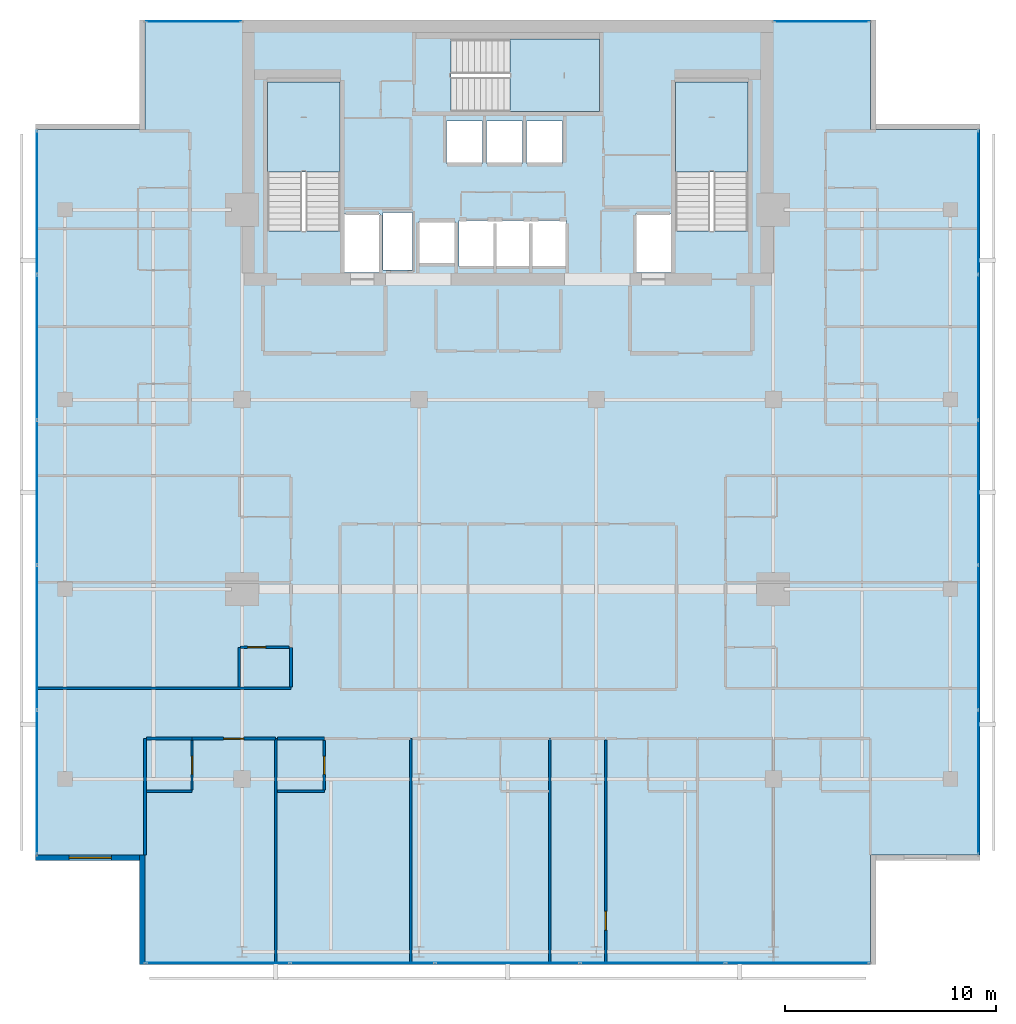
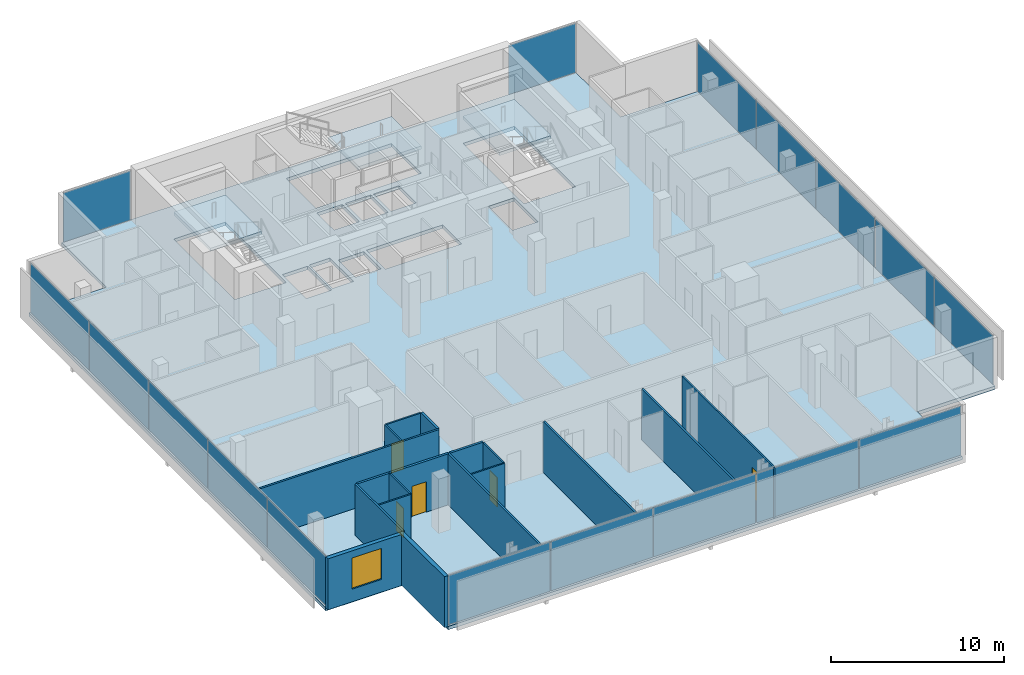
# One storey, part 19 of 26: 18 walls, 17 plates, 5 doors, 4 slabs, 1 window, 6 openings, 8 elements without a shape of their own.
"""IFC4 building model written with IfcOpenShell, lengths in metres."""

from ifc_helpers import new_model, si_unit, direction, frame, frame_2d, origin, origin_2d, place, context, subcontext, project, spatial, polyline, rectangle, outline, extrude, material, layer, layer_set, type_object, element, fill, aggregate, save


model = new_model("IFC4")

# Units and contexts
model_context = context("Model", 3, precision=1e-05, world=origin(), true_north=direction((0.0, 1.0)))
body_context = subcontext(model_context, "Body", "Model", "MODEL_VIEW")
ifc_project = project(units=[si_unit("LENGTHUNIT", "METRE"), si_unit("AREAUNIT", "SQUARE_METRE"), si_unit("VOLUMEUNIT", "CUBIC_METRE"), si_unit("PLANEANGLEUNIT", "RADIAN"), si_unit("MASSUNIT", "GRAM", prefix="KILO")], contexts=[model_context])

# Site, building, storey
site_placement = place(None, origin())
site = spatial("IfcSite", under=ifc_project, at=site_placement, CompositionType="ELEMENT")
building_placement = place(site_placement, origin())
building = spatial("IfcBuilding", under=site, at=building_placement, Name="Maruvema Waterfront Hotel and Observation Tower", CompositionType="ELEMENT")
storey_placement = place(building_placement, frame((0.0, 0.0, 289.449951171875)))
storey = spatial("IfcBuildingStorey", under=building, at=storey_placement, Name="L71", CompositionType="ELEMENT", Elevation=289.449951171875)

# Slab
ifc_material_1 = material(Name="Concrete C50/60", Category="concrete")
ifc_layer_1 = layer(ifc_material_1, 0.239990234375, Name="Reinforced Concrete Floor Slab 240 mm")
ifc_layer_set_1 = layer_set([ifc_layer_1], Name="Concrete C50/60")
slab_type_1 = type_object("IfcSlabType", Name="Reinforced Concrete Floor Slab 240 mm", PredefinedType="FLOOR", material=ifc_layer_set_1)
slab_1_placement = place(storey_placement, frame((0.0, 0.0, -0.239990234375)))
element("IfcSlab", 1, at=slab_1_placement, inside=storey, type_object=slab_type_1, Name="L71 Structural Floor Slab", PredefinedType="FLOOR", context=body_context, shape_type="SweptSolid", body=[
    extrude(outline(polyline([(20.60009765625, 9.199951171875), (55.0, 9.199951171875), (55.0, 14.39990234375), (60.199951171875, 14.39990234375), (60.199951171875, 48.800048828125), (55.0, 48.800048828125), (55.0, 54.0), (20.60009765625, 54.0), (20.60009765625, 48.800048828125), (15.39990234375, 48.800048828125), (15.39990234375, 14.39990234375), (20.60009765625, 14.39990234375), (20.60009765625, 9.199951171875)]), holes=[polyline([(26.39990234375, 44.00048828125), (26.39990234375, 51.050048828125), (29.85009765625, 51.050048828125), (29.85009765625, 44.00048828125), (26.39990234375, 44.00048828125)]), polyline([(30.050048828125, 44.800048828125), (31.75, 44.800048828125), (31.75, 42.02001953125), (30.050048828125, 42.02001953125), (30.050048828125, 44.800048828125)]), polyline([(31.8798828125, 42.139892578125), (31.8798828125, 44.860107421875), (33.280029296875, 44.860107421875), (33.280029296875, 42.139892578125), (31.8798828125, 42.139892578125)]), polyline([(33.60009765625, 44.449951171875), (35.300048828125, 44.449951171875), (35.300048828125, 42.449951171875), (33.60009765625, 42.449951171875), (33.60009765625, 44.449951171875)]), polyline([(34.89990234375, 49.199951171875), (36.60009765625, 49.199951171875), (36.60009765625, 47.199951171875), (34.89990234375, 47.199951171875), (34.89990234375, 49.199951171875)]), polyline([(36.800048828125, 47.199951171875), (36.800048828125, 49.199951171875), (38.5, 49.199951171875), (38.5, 47.199951171875), (36.800048828125, 47.199951171875)]), polyline([(35.5, 42.300048828125), (35.5, 44.5), (40.60009765625, 44.5), (40.60009765625, 42.300048828125), (35.5, 42.300048828125)]), polyline([(35.1005859375, 53.10009765625), (42.14990234375, 53.10009765625), (42.14990234375, 49.64990234375), (35.1005859375, 49.64990234375), (35.1005859375, 53.10009765625)]), polyline([(38.699951171875, 49.199951171875), (40.39990234375, 49.199951171875), (40.39990234375, 47.199951171875), (38.699951171875, 47.199951171875), (38.699951171875, 49.199951171875)]), polyline([(43.85009765625, 44.800048828125), (45.550048828125, 44.800048828125), (45.550048828125, 42.02001953125), (43.85009765625, 42.02001953125), (43.85009765625, 44.800048828125)]), polyline([(45.75, 44.00048828125), (45.75, 51.050048828125), (49.199951171875, 51.050048828125), (49.199951171875, 44.00048828125), (45.75, 44.00048828125)])]), origin(), (0.0, 0.0, 1.0), 0.239990234375),
])

# Curtain wall, plates
ifc_material_2 = material(Name="Anodised bronze aluminium and solar-control low-E IGU", Category="aluminium")
ifc_layer_2 = layer(ifc_material_2, 0.159912109375, Name="Zone 3 Champagne Inner Thermal Curtain Wall System CW-04")
ifc_layer_set_2 = layer_set([ifc_layer_2], Name="Anodised bronze aluminium and solar-control low-E IGU")
curtain_wall_type = type_object("IfcCurtainWallType", Name="Zone 3 Champagne Inner Thermal Curtain Wall System CW-04", PredefinedType="USERDEFINED", material=ifc_layer_set_2)
curtain_wall_1_placement = place(storey_placement, origin())
curtain_wall_1 = element("IfcCurtainWall", 2, at=curtain_wall_1_placement, inside=storey, type_object=curtain_wall_type, Name="L71 Curtain Wall CW-L71-S", ObjectType="UNITISED CURTAIN WALL", PredefinedType="USERDEFINED")
ifc_material_3 = material(Name="Laminated low-E solar-control double glazing", Category="glass")
ifc_layer_3 = layer(ifc_material_3, 0.035888671875, Name="Solar Control Double-Glazed Curtain Panel 36 mm")
ifc_layer_set_3 = layer_set([ifc_layer_3], Name="Laminated low-E solar-control double glazing")
plate_type = type_object("IfcPlateType", Name="Solar Control Double-Glazed Curtain Panel 36 mm", PredefinedType="CURTAIN_PANEL", material=ifc_layer_set_3)
plate_1_placement = place(storey_placement, frame((24.054931640625, 9.280029296875, 0.06005859375), z_axis=(0.0, 0.0, 1.0), x_axis=(1.0, 0.0, 0.0)))
plate_1 = element("IfcPlate", 3, at=plate_1_placement, type_object=plate_type, Name="CW-04 panel 1.1", PredefinedType="CURTAIN_PANEL", context=body_context, shape_type="SweptSolid", body=[
    extrude(rectangle(XDim=6.7900390625, YDim=0.028076171875, at=origin_2d()), origin(), (0.0, 0.0, 1.0), 3.489990234375),
])
plate_2_placement = place(storey_placement, frame((30.919921875, 9.280029296875, 0.06005859375), z_axis=(0.0, 0.0, 1.0), x_axis=(1.0, 0.0, 0.0)))
plate_2 = element("IfcPlate", 4, at=plate_2_placement, type_object=plate_type, Name="CW-04 panel 2.1", PredefinedType="CURTAIN_PANEL", context=body_context, shape_type="SweptSolid", body=[
    extrude(rectangle(XDim=6.820068359375, YDim=0.028076171875, at=origin_2d()), origin(), (0.0, 0.0, 1.0), 3.489990234375),
])
plate_3_placement = place(storey_placement, frame((37.800048828125, 9.280029296875, 0.06005859375), z_axis=(0.0, 0.0, 1.0), x_axis=(1.0, 0.0, 0.0)))
plate_3 = element("IfcPlate", 5, at=plate_3_placement, type_object=plate_type, Name="CW-04 panel 3.1", PredefinedType="CURTAIN_PANEL", context=body_context, shape_type="SweptSolid", body=[
    extrude(rectangle(XDim=6.820068359375, YDim=0.028076171875, at=origin_2d()), origin(), (0.0, 0.0, 1.0), 3.489990234375),
])
plate_4_placement = place(storey_placement, frame((44.679931640625, 9.280029296875, 0.06005859375), z_axis=(0.0, 0.0, 1.0), x_axis=(1.0, 0.0, 0.0)))
plate_4 = element("IfcPlate", 6, at=plate_4_placement, type_object=plate_type, Name="CW-04 panel 4.1", PredefinedType="CURTAIN_PANEL", context=body_context, shape_type="SweptSolid", body=[
    extrude(rectangle(XDim=6.820068359375, YDim=0.028076171875, at=origin_2d()), origin(), (0.0, 0.0, 1.0), 3.489990234375),
])
plate_5_placement = place(storey_placement, frame((51.544921875, 9.280029296875, 0.06005859375), z_axis=(0.0, 0.0, 1.0), x_axis=(1.0, 0.0, 0.0)))
plate_5 = element("IfcPlate", 7, at=plate_5_placement, type_object=plate_type, Name="CW-04 panel 5.1", PredefinedType="CURTAIN_PANEL", context=body_context, shape_type="SweptSolid", body=[
    extrude(rectangle(XDim=6.7900390625, YDim=0.028076171875, at=origin_2d()), origin(), (0.0, 0.0, 1.0), 3.489990234375),
])
aggregate(curtain_wall_1, [plate_1, plate_2, plate_3, plate_4, plate_5])

curtain_wall_2_placement = place(storey_placement, origin())
curtain_wall_2 = element("IfcCurtainWall", 8, at=curtain_wall_2_placement, inside=storey, type_object=curtain_wall_type, Name="L71 Curtain Wall CW-L71-E", ObjectType="UNITISED CURTAIN WALL", PredefinedType="USERDEFINED")
plate_6_placement = place(storey_placement, frame((60.1201171875, 17.85498046875, 0.06005859375), z_axis=(0.0, 0.0, 1.0), x_axis=(0.0, 1.0, 0.0)))
plate_6 = element("IfcPlate", 9, at=plate_6_placement, type_object=plate_type, Name="CW-04 panel 1.1", PredefinedType="CURTAIN_PANEL", context=body_context, shape_type="SweptSolid", body=[
    extrude(rectangle(XDim=6.7900390625, YDim=0.028076171875, at=origin_2d()), origin(), (0.0, 0.0, 1.0), 3.489990234375),
])
plate_7_placement = place(storey_placement, frame((60.1201171875, 24.719970703125, 0.06005859375), z_axis=(0.0, 0.0, 1.0), x_axis=(0.0, 1.0, 0.0)))
plate_7 = element("IfcPlate", 10, at=plate_7_placement, type_object=plate_type, Name="CW-04 panel 2.1", PredefinedType="CURTAIN_PANEL", context=body_context, shape_type="SweptSolid", body=[
    extrude(rectangle(XDim=6.820068359375, YDim=0.028076171875, at=origin_2d()), origin(), (0.0, 0.0, 1.0), 3.489990234375),
])
plate_8_placement = place(storey_placement, frame((60.1201171875, 31.60009765625, 0.06005859375), z_axis=(0.0, 0.0, 1.0), x_axis=(0.0, 1.0, 0.0)))
plate_8 = element("IfcPlate", 11, at=plate_8_placement, type_object=plate_type, Name="CW-04 panel 3.1", PredefinedType="CURTAIN_PANEL", context=body_context, shape_type="SweptSolid", body=[
    extrude(rectangle(XDim=6.820068359375, YDim=0.028076171875, at=origin_2d()), origin(), (0.0, 0.0, 1.0), 3.489990234375),
])
plate_9_placement = place(storey_placement, frame((60.1201171875, 38.47998046875, 0.06005859375), z_axis=(0.0, 0.0, 1.0), x_axis=(0.0, 1.0, 0.0)))
plate_9 = element("IfcPlate", 12, at=plate_9_placement, type_object=plate_type, Name="CW-04 panel 4.1", PredefinedType="CURTAIN_PANEL", context=body_context, shape_type="SweptSolid", body=[
    extrude(rectangle(XDim=6.820068359375, YDim=0.028076171875, at=origin_2d()), origin(), (0.0, 0.0, 1.0), 3.489990234375),
])
plate_10_placement = place(storey_placement, frame((60.1201171875, 45.344970703125, 0.06005859375), z_axis=(0.0, 0.0, 1.0), x_axis=(0.0, 1.0, 0.0)))
plate_10 = element("IfcPlate", 13, at=plate_10_placement, type_object=plate_type, Name="CW-04 panel 5.1", PredefinedType="CURTAIN_PANEL", context=body_context, shape_type="SweptSolid", body=[
    extrude(rectangle(XDim=6.7900390625, YDim=0.028076171875, at=origin_2d()), origin(), (0.0, 0.0, 1.0), 3.489990234375),
])
aggregate(curtain_wall_2, [plate_6, plate_7, plate_8, plate_9, plate_10])

curtain_wall_3_placement = place(storey_placement, origin())
curtain_wall_3 = element("IfcCurtainWall", 14, at=curtain_wall_3_placement, inside=storey, type_object=curtain_wall_type, Name="L71 Curtain Wall CW-L71-W", ObjectType="UNITISED CURTAIN WALL", PredefinedType="USERDEFINED")
plate_11_placement = place(storey_placement, frame((15.47998046875, 45.344970703125, 0.06005859375), z_axis=(0.0, 0.0, 1.0), x_axis=(0.0, -1.0, 0.0)))
plate_11 = element("IfcPlate", 15, at=plate_11_placement, type_object=plate_type, Name="CW-04 panel 1.1", PredefinedType="CURTAIN_PANEL", context=body_context, shape_type="SweptSolid", body=[
    extrude(rectangle(XDim=6.7900390625, YDim=0.028076171875, at=origin_2d()), origin(), (0.0, 0.0, 1.0), 3.489990234375),
])
plate_12_placement = place(storey_placement, frame((15.47998046875, 38.47998046875, 0.06005859375), z_axis=(0.0, 0.0, 1.0), x_axis=(0.0, -1.0, 0.0)))
plate_12 = element("IfcPlate", 16, at=plate_12_placement, type_object=plate_type, Name="CW-04 panel 2.1", PredefinedType="CURTAIN_PANEL", context=body_context, shape_type="SweptSolid", body=[
    extrude(rectangle(XDim=6.820068359375, YDim=0.028076171875, at=origin_2d()), origin(), (0.0, 0.0, 1.0), 3.489990234375),
])
plate_13_placement = place(storey_placement, frame((15.47998046875, 31.60009765625, 0.06005859375), z_axis=(0.0, 0.0, 1.0), x_axis=(0.0, -1.0, 0.0)))
plate_13 = element("IfcPlate", 17, at=plate_13_placement, type_object=plate_type, Name="CW-04 panel 3.1", PredefinedType="CURTAIN_PANEL", context=body_context, shape_type="SweptSolid", body=[
    extrude(rectangle(XDim=6.820068359375, YDim=0.028076171875, at=origin_2d()), origin(), (0.0, 0.0, 1.0), 3.489990234375),
])
plate_14_placement = place(storey_placement, frame((15.47998046875, 24.719970703125, 0.06005859375), z_axis=(0.0, 0.0, 1.0), x_axis=(0.0, -1.0, 0.0)))
plate_14 = element("IfcPlate", 18, at=plate_14_placement, type_object=plate_type, Name="CW-04 panel 4.1", PredefinedType="CURTAIN_PANEL", context=body_context, shape_type="SweptSolid", body=[
    extrude(rectangle(XDim=6.820068359375, YDim=0.028076171875, at=origin_2d()), origin(), (0.0, 0.0, 1.0), 3.489990234375),
])
plate_15_placement = place(storey_placement, frame((15.47998046875, 17.85498046875, 0.06005859375), z_axis=(0.0, 0.0, 1.0), x_axis=(0.0, -1.0, 0.0)))
plate_15 = element("IfcPlate", 19, at=plate_15_placement, type_object=plate_type, Name="CW-04 panel 5.1", PredefinedType="CURTAIN_PANEL", context=body_context, shape_type="SweptSolid", body=[
    extrude(rectangle(XDim=6.7900390625, YDim=0.028076171875, at=origin_2d()), origin(), (0.0, 0.0, 1.0), 3.489990234375),
])
aggregate(curtain_wall_3, [plate_11, plate_12, plate_13, plate_14, plate_15])

# Curtain wall, plate
curtain_wall_4_placement = place(storey_placement, origin())
curtain_wall_4 = element("IfcCurtainWall", 20, at=curtain_wall_4_placement, inside=storey, type_object=curtain_wall_type, Name="L71 Curtain Wall CW-L71-NW", ObjectType="UNITISED CURTAIN WALL", PredefinedType="USERDEFINED")
plate_16_placement = place(storey_placement, frame((22.89990234375, 53.919921875, 0.06005859375), z_axis=(0.0, 0.0, 1.0), x_axis=(-1.0, 0.0, 0.0)))
plate_16 = element("IfcPlate", 21, at=plate_16_placement, type_object=plate_type, Name="CW-04 panel 1.1", PredefinedType="CURTAIN_PANEL", context=body_context, shape_type="SweptSolid", body=[
    extrude(rectangle(XDim=4.47998046875, YDim=0.028076171875, at=origin_2d()), origin(), (0.0, 0.0, 1.0), 3.489990234375),
])
aggregate(curtain_wall_4, [plate_16])

curtain_wall_5_placement = place(storey_placement, origin())
curtain_wall_5 = element("IfcCurtainWall", 22, at=curtain_wall_5_placement, inside=storey, type_object=curtain_wall_type, Name="L71 Curtain Wall CW-L71-NE", ObjectType="UNITISED CURTAIN WALL", PredefinedType="USERDEFINED")
plate_17_placement = place(storey_placement, frame((52.699951171875, 53.919921875, 0.06005859375), z_axis=(0.0, 0.0, 1.0), x_axis=(-1.0, 0.0, 0.0)))
plate_17 = element("IfcPlate", 23, at=plate_17_placement, type_object=plate_type, Name="CW-04 panel 1.1", PredefinedType="CURTAIN_PANEL", context=body_context, shape_type="SweptSolid", body=[
    extrude(rectangle(XDim=4.47998046875, YDim=0.028076171875, at=origin_2d()), origin(), (0.0, 0.0, 1.0), 3.489990234375),
])
aggregate(curtain_wall_5, [plate_17])

# Stair, slab
ifc_material_4 = material(Name="Concrete C50/60", Category="concrete")
stair_type = type_object("IfcStairType", Name="Dogleg Exit Stair 1650 mm (22R x 175.0 mm)", PredefinedType="HALF_TURN_STAIR", material=ifc_material_4)
stair_1_placement = place(storey_placement, origin())
stair_1 = element("IfcStair", 24, at=stair_1_placement, inside=storey, type_object=stair_type, Name="L71 ST-01", PredefinedType="HALF_TURN_STAIR")
ifc_material_5 = material(Name="Concrete C50/60", Category="concrete")
ifc_layer_4 = layer(ifc_material_5, 0.219970703125, Name="Stair Concrete Landing Slab 220 mm")
ifc_layer_set_4 = layer_set([ifc_layer_4], Name="Concrete C50/60")
slab_type_2 = type_object("IfcSlabType", Name="Stair Concrete Landing Slab 220 mm", PredefinedType="LANDING", material=ifc_layer_set_4)
slab_2_placement = place(storey_placement, frame((0.0, 0.0, 1.705078125)))
slab_2 = element("IfcSlab", 25, at=slab_2_placement, type_object=slab_type_2, Name="ST-01 landing 1", PredefinedType="LANDING", context=body_context, shape_type="SweptSolid", body=[
    extrude(outline(polyline([(29.85009765625, 46.800048828125), (29.85009765625, 51.050048828125), (26.39990234375, 51.050048828125), (26.39990234375, 46.800048828125), (29.85009765625, 46.800048828125)])), origin(), (0.0, 0.0, 1.0), 0.219970703125),
])
aggregate(stair_1, [slab_2])

stair_2_placement = place(storey_placement, origin())
stair_2 = element("IfcStair", 26, at=stair_2_placement, inside=storey, type_object=stair_type, Name="L71 ST-02", PredefinedType="HALF_TURN_STAIR")
slab_3_placement = place(storey_placement, frame((0.0, 0.0, 1.705078125)))
slab_3 = element("IfcSlab", 27, at=slab_3_placement, type_object=slab_type_2, Name="ST-02 landing 1", PredefinedType="LANDING", context=body_context, shape_type="SweptSolid", body=[
    extrude(outline(polyline([(37.89990234375, 49.64990234375), (42.14990234375, 49.64990234375), (42.14990234375, 53.10009765625), (37.89990234375, 53.10009765625), (37.89990234375, 49.64990234375)])), origin(), (0.0, 0.0, 1.0), 0.219970703125),
])
aggregate(stair_2, [slab_3])

stair_3_placement = place(storey_placement, origin())
stair_3 = element("IfcStair", 28, at=stair_3_placement, inside=storey, type_object=stair_type, Name="L71 ST-03", PredefinedType="HALF_TURN_STAIR")
slab_4_placement = place(storey_placement, frame((0.0, 0.0, 1.705078125)))
slab_4 = element("IfcSlab", 29, at=slab_4_placement, type_object=slab_type_2, Name="ST-03 landing 1", PredefinedType="LANDING", context=body_context, shape_type="SweptSolid", body=[
    extrude(outline(polyline([(49.199951171875, 46.800048828125), (49.199951171875, 51.050048828125), (45.75, 51.050048828125), (45.75, 46.800048828125), (49.199951171875, 46.800048828125)])), origin(), (0.0, 0.0, 1.0), 0.219970703125),
])
aggregate(stair_3, [slab_4])

# Wall
ifc_material_6 = material(Name="Twin-stud acoustic gypsum drywall", Category="gypsum")
ifc_layer_5 = layer(ifc_material_6, 0.14990234375, Name="Acoustic Corridor and Suite Demising Wall 150 mm")
ifc_layer_set_5 = layer_set([ifc_layer_5], Name="Twin-stud acoustic gypsum drywall")
wall_type_1 = type_object("IfcWallType", Name="Acoustic Corridor and Suite Demising Wall 150 mm", PredefinedType="PARTITIONING", material=ifc_layer_set_5)
wall_1_placement = place(storey_placement, frame((20.679931640625, 19.919921875, 0.0), z_axis=(0.0, 0.0, 1.0), x_axis=(1.0, 0.0, 0.0)))
element("IfcWall", 30, at=wall_1_placement, inside=storey, type_object=wall_type_1, Name="L71 Bath L71-S1 Back Wall 043", PredefinedType="PARTITIONING", context=body_context, shape_type="SweptSolid", body=[
    extrude(rectangle(XDim=2.150146484375, YDim=0.14990234375, at=frame_2d((1.0751953125, 0.0))), origin(), (0.0, 0.0, 1.0), 3.610107421875),
])

# Wall, opening, door
wall_2_placement = place(storey_placement, frame((22.830078125, 19.919921875, 0.0), z_axis=(0.0, 0.0, 1.0), x_axis=(1.0, 0.0, 0.0)))
wall_2 = element("IfcWall", 31, at=wall_2_placement, inside=storey, type_object=wall_type_1, Name="L71 Unit L71-S1 Corridor Wall 046", PredefinedType="PARTITIONING", context=body_context, shape_type="SweptSolid", body=[
    extrude(rectangle(XDim=3.949951171875, YDim=0.14990234375, at=frame_2d((1.97509765625, 0.0))), origin(), (0.0, 0.0, 1.0), 3.610107421875),
])
opening_1_placement = place(wall_2_placement, frame((1.5, 0.0, 0.0)))
opening_1 = element("IfcOpeningElement", 32, at=opening_1_placement, cuts=wall_2, Name="Opening DR-095", PredefinedType="OPENING", context=body_context, shape_type="SweptSolid", body=[
    extrude(rectangle(XDim=0.949951171875, YDim=2.14990234375, at=frame_2d((0.47509765625, 1.074951171875))), frame((0.0, 0.0849609375, 0.0), z_axis=(0.0, -1.0, 0.0), x_axis=(1.0, 0.0, 0.0)), (0.0, 0.0, 1.0), 0.169921875),
])
ifc_material_7 = material(Name="Acoustic solid-core hardwood timber leaf", Category="wood")
door_type_1 = type_object("IfcDoorType", Name="Guestroom Entrance Fire Door 950x2150 mm", OperationType="NOTDEFINED", PredefinedType="DOOR", material=ifc_material_7)
door_1_placement = place(opening_1_placement, frame((0.949951171875, 0.0, 0.0), z_axis=(0.0, 0.0, 1.0), x_axis=(-1.0, 0.0, 0.0)))
door_1 = element("IfcDoor", 33, at=door_1_placement, inside=storey, type_object=door_type_1, Name="L71 Unit L71-S1 Entrance Door", OperationType="SINGLE_SWING_LEFT", OverallHeight=2.14990234375, OverallWidth=0.949951171875, PredefinedType="DOOR", context=body_context, shape_type="SweptSolid", body=[
    extrude(rectangle(XDim=0.949951171875, YDim=2.14990234375, at=frame_2d((0.47509765625, 1.074951171875))), frame((0.0, 0.02490234375, 0.0), z_axis=(0.0, -1.0, 0.0), x_axis=(1.0, 0.0, 0.0)), (0.0, 0.0, 1.0), 0.050048828125),
])
fill(opening_1, door_1)

# Walls
wall_3_placement = place(storey_placement, frame((26.8798828125, 19.919921875, 0.0), z_axis=(0.0, 0.0, 1.0), x_axis=(1.0, 0.0, 0.0)))
element("IfcWall", 34, at=wall_3_placement, inside=storey, type_object=wall_type_1, Name="L71 Bath L71-S2 Back Wall 048", PredefinedType="PARTITIONING", context=body_context, shape_type="SweptSolid", body=[
    extrude(rectangle(XDim=2.22021484375, YDim=0.14990234375, at=frame_2d((1.110107421875, 0.0))), origin(), (0.0, 0.0, 1.0), 3.610107421875),
])
wall_4_placement = place(storey_placement, frame((27.52001953125, 22.360107421875, 0.0), z_axis=(0.0, 0.0, 1.0), x_axis=(0.0, 1.0, 0.0)))
element("IfcWall", 35, at=wall_4_placement, inside=storey, type_object=wall_type_1, Name="L71 Bath L71-W1 Wall 075", PredefinedType="PARTITIONING", context=body_context, shape_type="SweptSolid", body=[
    extrude(rectangle(XDim=1.889892578125, YDim=0.14990234375, at=frame_2d((0.94482421875, 0.0))), origin(), (0.0, 0.0, 1.0), 3.610107421875),
])
ifc_material_8 = material(Name="Moisture-resistant cement-board drywall", Category="gypsum")
ifc_layer_6 = layer(ifc_material_8, 0.10009765625, Name="En-Suite Moisture-Resistant Partition 100 mm")
ifc_layer_set_6 = layer_set([ifc_layer_6], Name="Moisture-resistant cement-board drywall")
wall_type_2 = type_object("IfcWallType", Name="En-Suite Moisture-Resistant Partition 100 mm", PredefinedType="PARTITIONING", material=ifc_layer_set_6)
wall_5_placement = place(storey_placement, frame((20.679931640625, 17.419921875, 0.0), z_axis=(0.0, 0.0, 1.0), x_axis=(1.0, 0.0, 0.0)))
element("IfcWall", 36, at=wall_5_placement, inside=storey, type_object=wall_type_2, Name="L71 En-Suite L71-S1 South 044", PredefinedType="PARTITIONING", context=body_context, shape_type="SweptSolid", body=[
    extrude(rectangle(XDim=2.150146484375, YDim=0.10009765625, at=frame_2d((1.0751953125, 0.0))), origin(), (0.0, 0.0, 1.0), 3.610107421875),
])

# Wall, opening, door
wall_6_placement = place(storey_placement, frame((22.830078125, 17.47998046875, 0.0), z_axis=(0.0, 0.0, 1.0), x_axis=(0.0, 1.0, 0.0)))
wall_6 = element("IfcWall", 37, at=wall_6_placement, inside=storey, type_object=wall_type_2, Name="L71 En-Suite L71-S1 East 045", PredefinedType="PARTITIONING", context=body_context, shape_type="SweptSolid", body=[
    extrude(rectangle(XDim=2.340087890625, YDim=0.10009765625, at=frame_2d((1.169921875, 0.0))), origin(), (0.0, 0.0, 1.0), 3.610107421875),
])
opening_2_placement = place(wall_6_placement, frame((0.7451171875, 0.0, 0.0)))
opening_2 = element("IfcOpeningElement", 38, at=opening_2_placement, cuts=wall_6, Name="Opening DR-085", PredefinedType="OPENING", context=body_context, shape_type="SweptSolid", body=[
    extrude(rectangle(XDim=0.85009765625, YDim=2.10009765625, at=frame_2d((0.425048828125, 1.050048828125))), frame((0.0, 0.06005859375, 0.0), z_axis=(0.0, -1.0, 0.0), x_axis=(1.0, 0.0, 0.0)), (0.0, 0.0, 1.0), 0.1201171875),
])
ifc_material_9 = material(Name="Moisture-resistant solid timber leaf", Category="wood")
door_type_2 = type_object("IfcDoorType", Name="En-Suite Bathroom Door 850x2100 mm", OperationType="NOTDEFINED", PredefinedType="DOOR", material=ifc_material_9)
door_2_placement = place(opening_2_placement, frame((0.85009765625, 0.0, 0.0), z_axis=(0.0, 0.0, 1.0), x_axis=(-1.0, 0.0, 0.0)))
door_2 = element("IfcDoor", 39, at=door_2_placement, inside=storey, type_object=door_type_2, Name="L71 En-Suite L71-S1 Door", OperationType="SINGLE_SWING_RIGHT", OverallHeight=2.10009765625, OverallWidth=0.85009765625, PredefinedType="DOOR", context=body_context, shape_type="SweptSolid", body=[
    extrude(rectangle(XDim=0.85009765625, YDim=2.10009765625, at=frame_2d((0.425048828125, 1.050048828125))), frame((0.0, 0.02490234375, 0.0), z_axis=(0.0, -1.0, 0.0), x_axis=(1.0, 0.0, 0.0)), (0.0, 0.0, 1.0), 0.050048828125),
])
fill(opening_2, door_2)

# Wall
wall_7_placement = place(storey_placement, frame((26.8798828125, 17.419921875, 0.0), z_axis=(0.0, 0.0, 1.0), x_axis=(1.0, 0.0, 0.0)))
element("IfcWall", 40, at=wall_7_placement, inside=storey, type_object=wall_type_2, Name="L71 En-Suite L71-S2 South 049", PredefinedType="PARTITIONING", context=body_context, shape_type="SweptSolid", body=[
    extrude(rectangle(XDim=2.22021484375, YDim=0.10009765625, at=frame_2d((1.110107421875, 0.0))), origin(), (0.0, 0.0, 1.0), 3.610107421875),
])

# Wall, opening, door
wall_8_placement = place(storey_placement, frame((29.10009765625, 17.47998046875, 0.0), z_axis=(0.0, 0.0, 1.0), x_axis=(0.0, 1.0, 0.0)))
wall_8 = element("IfcWall", 41, at=wall_8_placement, inside=storey, type_object=wall_type_2, Name="L71 En-Suite L71-S2 East 050", PredefinedType="PARTITIONING", context=body_context, shape_type="SweptSolid", body=[
    extrude(rectangle(XDim=2.340087890625, YDim=0.10009765625, at=frame_2d((1.169921875, 0.0))), origin(), (0.0, 0.0, 1.0), 3.610107421875),
])
opening_3_placement = place(wall_8_placement, frame((0.7451171875, 0.0, 0.0)))
opening_3 = element("IfcOpeningElement", 42, at=opening_3_placement, cuts=wall_8, Name="Opening DR-085", PredefinedType="OPENING", context=body_context, shape_type="SweptSolid", body=[
    extrude(rectangle(XDim=0.85009765625, YDim=2.10009765625, at=frame_2d((0.425048828125, 1.050048828125))), frame((0.0, 0.06005859375, 0.0), z_axis=(0.0, -1.0, 0.0), x_axis=(1.0, 0.0, 0.0)), (0.0, 0.0, 1.0), 0.1201171875),
])
door_3_placement = place(opening_3_placement, frame((0.85009765625, 0.0, 0.0), z_axis=(0.0, 0.0, 1.0), x_axis=(-1.0, 0.0, 0.0)))
door_3 = element("IfcDoor", 43, at=door_3_placement, inside=storey, type_object=door_type_2, Name="L71 En-Suite L71-S2 Door", OperationType="SINGLE_SWING_RIGHT", OverallHeight=2.10009765625, OverallWidth=0.85009765625, PredefinedType="DOOR", context=body_context, shape_type="SweptSolid", body=[
    extrude(rectangle(XDim=0.85009765625, YDim=2.10009765625, at=frame_2d((0.425048828125, 1.050048828125))), frame((0.0, 0.02490234375, 0.0), z_axis=(0.0, -1.0, 0.0), x_axis=(1.0, 0.0, 0.0)), (0.0, 0.0, 1.0), 0.050048828125),
])
fill(opening_3, door_3)

wall_9_placement = place(storey_placement, frame((42.449951171875, 9.22998046875, 0.0), z_axis=(0.0, 0.0, 1.0), x_axis=(0.0, 1.0, 0.0)))
wall_9 = element("IfcWall", 44, at=wall_9_placement, inside=storey, type_object=wall_type_2, Name="L71 Suite L71-S4 Split 063", PredefinedType="PARTITIONING", context=body_context, shape_type="SweptSolid", body=[
    extrude(rectangle(XDim=10.630126953125, YDim=0.10009765625, at=frame_2d((5.31494140625, 0.0))), origin(), (0.0, 0.0, 1.0), 3.610107421875),
])
opening_4_placement = place(wall_9_placement, frame((1.60009765625, 0.0, 0.0)))
opening_4 = element("IfcOpeningElement", 45, at=opening_4_placement, cuts=wall_9, Name="Opening DR-090", PredefinedType="OPENING", context=body_context, shape_type="SweptSolid", body=[
    extrude(rectangle(XDim=0.89990234375, YDim=2.10009765625, at=frame_2d((0.449951171875, 1.050048828125))), frame((0.0, 0.06005859375, 0.0), z_axis=(0.0, -1.0, 0.0), x_axis=(1.0, 0.0, 0.0)), (0.0, 0.0, 1.0), 0.1201171875),
])
ifc_material_10 = material(Name="Solid-core lacquered timber leaf", Category="wood")
door_type_3 = type_object("IfcDoorType", Name="Accessible Toilet and Room Door 900x2100 mm", OperationType="NOTDEFINED", PredefinedType="DOOR", material=ifc_material_10)
door_4_placement = place(opening_4_placement, frame((0.89990234375, 0.0, 0.0), z_axis=(0.0, 0.0, 1.0), x_axis=(-1.0, 0.0, 0.0)))
door_4 = element("IfcDoor", 46, at=door_4_placement, inside=storey, type_object=door_type_3, Name="L71 Suite L71-S4 Bedroom Door", OperationType="SINGLE_SWING_RIGHT", OverallHeight=2.10009765625, OverallWidth=0.89990234375, PredefinedType="DOOR", context=body_context, shape_type="SweptSolid", body=[
    extrude(rectangle(XDim=0.89990234375, YDim=2.10009765625, at=frame_2d((0.449951171875, 1.050048828125))), frame((0.0, 0.02490234375, 0.0), z_axis=(0.0, -1.0, 0.0), x_axis=(1.0, 0.0, 0.0)), (0.0, 0.0, 1.0), 0.050048828125),
])
fill(opening_4, door_4)

# Wall
wall_10_placement = place(storey_placement, frame((25.070068359375, 22.360107421875, 0.0), z_axis=(0.0, 0.0, 1.0), x_axis=(0.0, 1.0, 0.0)))
element("IfcWall", 47, at=wall_10_placement, inside=storey, type_object=wall_type_2, Name="L71 En-Suite L71-W1 W 077", PredefinedType="PARTITIONING", context=body_context, shape_type="SweptSolid", body=[
    extrude(rectangle(XDim=1.889892578125, YDim=0.10009765625, at=frame_2d((0.94482421875, 0.0))), origin(), (0.0, 0.0, 1.0), 3.610107421875),
])

# Wall, opening, door
wall_11_placement = place(storey_placement, frame((25.1201171875, 24.25, 0.0), z_axis=(0.0, 0.0, 1.0), x_axis=(1.0, 0.0, 0.0)))
wall_11 = element("IfcWall", 48, at=wall_11_placement, inside=storey, type_object=wall_type_2, Name="L71 En-Suite L71-W1 N 078", PredefinedType="PARTITIONING", context=body_context, shape_type="SweptSolid", body=[
    extrude(rectangle(XDim=2.2998046875, YDim=0.10009765625, at=frame_2d((1.14990234375, 0.0))), origin(), (0.0, 0.0, 1.0), 3.610107421875),
])
opening_5_placement = place(wall_11_placement, frame((0.35009765625, 0.0, 0.0)))
opening_5 = element("IfcOpeningElement", 49, at=opening_5_placement, cuts=wall_11, Name="Opening DR-085", PredefinedType="OPENING", context=body_context, shape_type="SweptSolid", body=[
    extrude(rectangle(XDim=0.85009765625, YDim=2.10009765625, at=frame_2d((0.425048828125, 1.050048828125))), frame((0.0, 0.06005859375, 0.0), z_axis=(0.0, -1.0, 0.0), x_axis=(1.0, 0.0, 0.0)), (0.0, 0.0, 1.0), 0.1201171875),
])
door_5_placement = place(opening_5_placement, origin())
door_5 = element("IfcDoor", 50, at=door_5_placement, inside=storey, type_object=door_type_2, Name="L71 En-Suite L71-W1 Door", OperationType="SINGLE_SWING_RIGHT", OverallHeight=2.10009765625, OverallWidth=0.85009765625, PredefinedType="DOOR", context=body_context, shape_type="SweptSolid", body=[
    extrude(rectangle(XDim=0.85009765625, YDim=2.10009765625, at=frame_2d((0.425048828125, 1.050048828125))), frame((0.0, 0.02490234375, 0.0), z_axis=(0.0, -1.0, 0.0), x_axis=(1.0, 0.0, 0.0)), (0.0, 0.0, 1.0), 0.050048828125),
])
fill(opening_5, door_5)

# Wall
ifc_material_11 = material(Name="Precast concrete C45/55 with honed Pernambuco granite facing", Category="masonry")
ifc_layer_7 = layer(ifc_material_11, 0.260009765625, Name="Exterior Granite Clad Spandrel and Pier Wall 260 mm")
ifc_layer_set_7 = layer_set([ifc_layer_7], Name="Precast concrete C45/55 with honed Pernambuco granite facing")
wall_type_3 = type_object("IfcWallType", Name="Exterior Granite Clad Spandrel and Pier Wall 260 mm", PredefinedType="SOLIDWALL", material=ifc_layer_set_7)
wall_12_placement = place(storey_placement, frame((20.469970703125, 9.199951171875, 0.0), z_axis=(0.0, 0.0, 1.0), x_axis=(0.0, 1.0, 0.0)))
element("IfcWall", 51, at=wall_12_placement, inside=storey, type_object=wall_type_3, Name="L71 Corner Notch Granite Pier Wall SW1", PredefinedType="SOLIDWALL", context=body_context, shape_type="SweptSolid", body=[
    extrude(rectangle(XDim=5.199951171875, YDim=0.260009765625, at=frame_2d((2.60009765625, 0.0))), origin(), (0.0, 0.0, 1.0), 3.610107421875),
])

# Wall, opening, window
wall_13_placement = place(storey_placement, frame((20.60009765625, 14.27001953125, 0.0), z_axis=(0.0, 0.0, 1.0), x_axis=(-1.0, 0.0, 0.0)))
wall_13 = element("IfcWall", 52, at=wall_13_placement, inside=storey, type_object=wall_type_3, Name="L71 Corner Notch Granite Pier Wall SW2", PredefinedType="SOLIDWALL", context=body_context, shape_type="SweptSolid", body=[
    extrude(rectangle(XDim=5.2001953125, YDim=0.260009765625, at=frame_2d((2.60009765625, 0.0))), origin(), (0.0, 0.0, 1.0), 3.610107421875),
])
opening_6_placement = place(wall_13_placement, frame((1.60009765625, 0.0, 0.89990234375)))
opening_6 = element("IfcOpeningElement", 53, at=opening_6_placement, cuts=wall_13, Name="Opening WN-03", PredefinedType="OPENING", context=body_context, shape_type="SweptSolid", body=[
    extrude(rectangle(XDim=2.0, YDim=2.199951171875, at=frame_2d((1.0, 1.10009765625))), frame((0.0, 0.14013671875, 0.0), z_axis=(0.0, -1.0, 0.0), x_axis=(1.0, 0.0, 0.0)), (0.0, 0.0, 1.0), 0.280029296875),
])
ifc_material_12 = material(Name="Anodised bronze aluminium frame with laminated low-E glass", Category="aluminium")
window_type = type_object("IfcWindowType", Name="Sky Suite Panoramic Notch Window 2000x2200 mm", PartitioningType="SINGLE_PANEL", PredefinedType="WINDOW", material=ifc_material_12)
window_placement = place(opening_6_placement, origin())
window = element("IfcWindow", 54, at=window_placement, inside=storey, type_object=window_type, Name="L71 Corner Notch Punched Window SW2", OverallHeight=2.199951171875, OverallWidth=2.0, PartitioningType="SINGLE_PANEL", PredefinedType="WINDOW", context=body_context, shape_type="SweptSolid", body=[
    extrude(rectangle(XDim=2.0, YDim=2.199951171875, at=frame_2d((1.0, 1.10009765625))), frame((0.0, 0.030029296875, 0.0), z_axis=(0.0, -1.0, 0.0), x_axis=(1.0, 0.0, 0.0)), (0.0, 0.0, 1.0), 0.06005859375),
])
fill(opening_6, window)

# Walls
ifc_material_13 = material(Name="Acoustic gypsum plasterboard drywall", Category="gypsum")
ifc_layer_8 = layer(ifc_material_13, 0.125, Name="Guestroom Acoustic Demising Wall 125 mm")
ifc_layer_set_8 = layer_set([ifc_layer_8], Name="Acoustic gypsum plasterboard drywall")
wall_type_4 = type_object("IfcWallType", Name="Guestroom Acoustic Demising Wall 125 mm", PredefinedType="PARTITIONING", material=ifc_layer_set_8)
wall_14_placement = place(storey_placement, frame((20.60009765625, 14.39990234375, 0.0), z_axis=(0.0, 0.0, 1.0), x_axis=(0.0, 1.0, 0.0)))
element("IfcWall", 55, at=wall_14_placement, inside=storey, type_object=wall_type_4, Name="L71 Z3 S West End 041", PredefinedType="PARTITIONING", context=body_context, shape_type="SweptSolid", body=[
    extrude(rectangle(XDim=5.52001953125, YDim=0.125, at=frame_2d((2.760009765625, 0.0))), origin(), (0.0, 0.0, 1.0), 3.610107421875),
])
for number, where, z_axis, x_axis, name in (
    (56, (26.800048828125, 9.300048828125, 0.0), (0.0, 0.0, 1.0), (0.0, 1.0, 0.0), "L71 Z3 S Demising 2 047"),
    (57, (33.199951171875, 9.300048828125, 0.0), (0.0, 0.0, 1.0), (0.0, 1.0, 0.0), "L71 Z3 S Demising 3 052"),
    (58, (39.800048828125, 9.300048828125, 0.0), (0.0, 0.0, 1.0), (0.0, 1.0, 0.0), "L71 Z3 S Demising 4 057"),
):
    element("IfcWall", number, at=place(storey_placement, frame(where, z_axis=z_axis, x_axis=x_axis)), inside=storey, type_object=wall_type_4, Name=name, PredefinedType="PARTITIONING", context=body_context, shape_type="SweptSolid", body=[
        extrude(rectangle(XDim=10.619873046875, YDim=0.125, at=frame_2d((5.31005859375, 0.0))), origin(), (0.0, 0.0, 1.0), 3.610107421875),
    ])
wall_15_placement = place(storey_placement, frame((15.5, 22.300048828125, 0.0), z_axis=(0.0, 0.0, 1.0), x_axis=(1.0, 0.0, 0.0)))
element("IfcWall", 59, at=wall_15_placement, inside=storey, type_object=wall_type_4, Name="L71 Z3 W Bot End 071", PredefinedType="PARTITIONING", context=body_context, shape_type="SweptSolid", body=[
    extrude(rectangle(XDim=12.02001953125, YDim=0.125, at=frame_2d((6.010009765625, 0.0))), origin(), (0.0, 0.0, 1.0), 3.610107421875),
])

save(model, "model.ifc")
